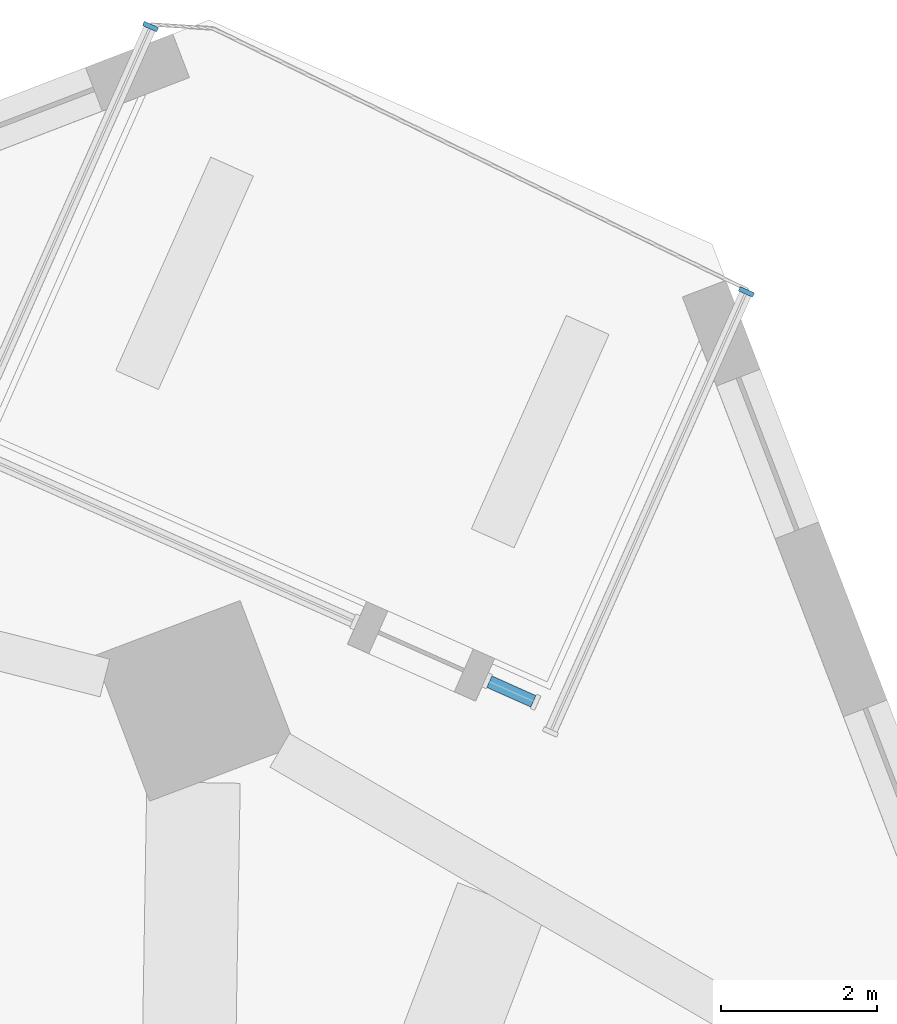
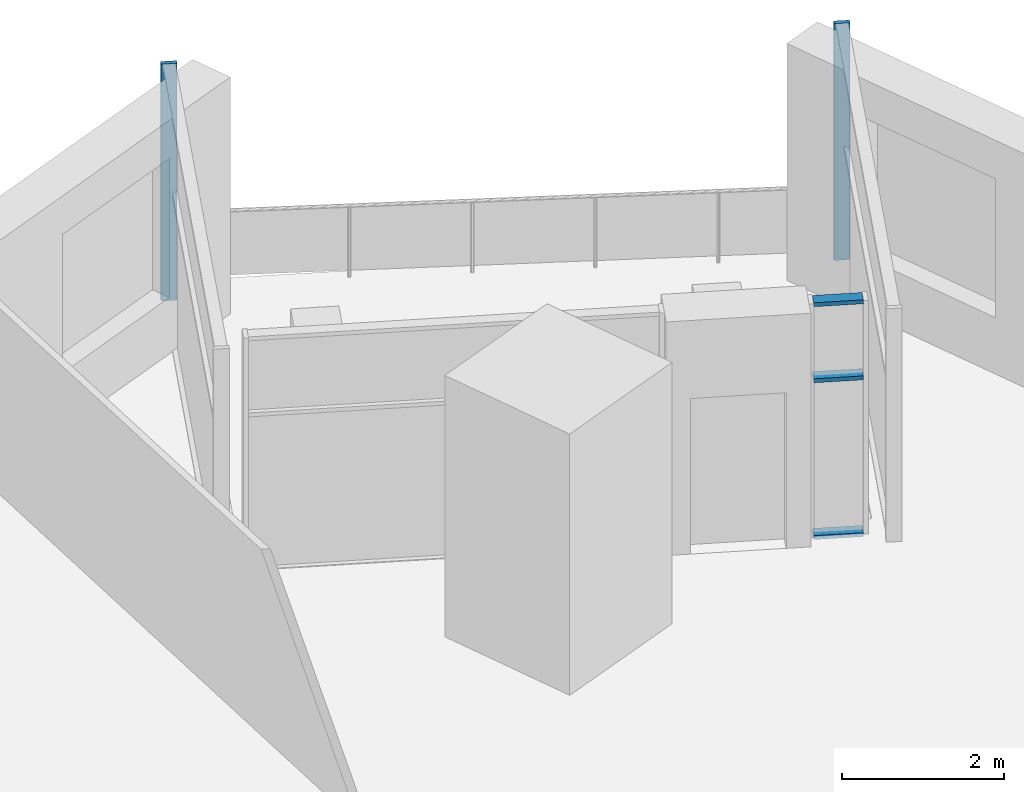
# One storey, part 4 of 14: 5 members, 3 elements without a shape of their own.
"""IFC4 building model written with IfcOpenShell, lengths in metres."""

from ifc_helpers import new_model, si_unit, direction, frame, origin, origin_2d, place, context, subcontext, project, spatial, rectangle, extrude, material, material_profile, profile_set, type_object, element, aggregate, save


model = new_model("IFC4")

# Units and contexts
model_context = context("Model", 3, precision=1e-05, world=origin(), true_north=direction((0.0, 1.0)))
body_context = subcontext(model_context, "Body", "Model", "MODEL_VIEW")
ifc_project = project(units=[si_unit("LENGTHUNIT", "METRE"), si_unit("AREAUNIT", "SQUARE_METRE"), si_unit("VOLUMEUNIT", "CUBIC_METRE"), si_unit("PLANEANGLEUNIT", "RADIAN"), si_unit("MASSUNIT", "GRAM", prefix="KILO")], contexts=[model_context])

# Site, building, storey
site_placement = place(None, origin())
site = spatial("IfcSite", under=ifc_project, at=site_placement, CompositionType="ELEMENT")
building_placement = place(site_placement, origin())
building = spatial("IfcBuilding", under=site, at=building_placement, Name="Dilmun Exchange Tower", CompositionType="ELEMENT")
storey_placement = place(building_placement, frame((0.0, 0.0, 110.10009765625)))
storey = spatial("IfcBuildingStorey", under=building, at=storey_placement, Name="L25", CompositionType="ELEMENT", Elevation=110.10009765625)

# Curtain wall, member
ifc_material_1 = material(Name="Anodised aluminium and clear glass", Category="aluminium")
curtain_wall_type = type_object("IfcCurtainWallType", Name="Garden corner glazing", PredefinedType="NOTDEFINED", material=ifc_material_1)
curtain_wall_1_placement = place(storey_placement, origin())
curtain_wall_1 = element("IfcCurtainWall", 1, at=curtain_wall_1_placement, inside=storey, type_object=curtain_wall_type, Name="Garden corner glazing run GC1.1", PredefinedType="NOTDEFINED")
ifc_material_2 = material(Name="Anodised aluminium", Category="aluminium")
ifc_material_profile_1 = material_profile(ifc_material_2, rectangle(XDim=0.199951171875, YDim=0.06005859375, at=origin_2d()), Name="AL 60x200")
ifc_profile_set_1 = profile_set([ifc_material_profile_1], Name="Anodised aluminium")
member_type_1 = type_object("IfcMemberType", Name="Garden corner glazing mullion 60 x 200", PredefinedType="MULLION", material=ifc_profile_set_1)
member_1_placement = place(storey_placement, frame((20.2060546875, 31.607177734375, 0.0), z_axis=(0.0, 0.0, 1.0), x_axis=(0.913542660018, -0.406742926585, 0.0)))
member_1 = element("IfcMember", 2, at=member_1_placement, type_object=member_type_1, Name="GC1.1 mullion 1", PredefinedType="MULLION", context=body_context, shape_type="SweptSolid", body=[
    extrude(rectangle(XDim=0.199951171875, YDim=0.06005859375, at=origin_2d()), origin(), (0.0, 0.0, 1.0), 3.579833984375),
])
aggregate(curtain_wall_1, [member_1])

curtain_wall_2_placement = place(storey_placement, origin())
curtain_wall_2 = element("IfcCurtainWall", 3, at=curtain_wall_2_placement, inside=storey, type_object=curtain_wall_type, Name="Garden corner glazing run GC3.1", PredefinedType="NOTDEFINED")
member_2_placement = place(storey_placement, frame((12.55224609375, 35.014892578125, 0.0), z_axis=(0.0, 0.0, 1.0), x_axis=(-0.913542660018, 0.406742926585, 0.0)))
member_2 = element("IfcMember", 4, at=member_2_placement, type_object=member_type_1, Name="GC3.1 mullion 2", PredefinedType="MULLION", context=body_context, shape_type="SweptSolid", body=[
    extrude(rectangle(XDim=0.199951171875, YDim=0.06005859375, at=origin_2d()), origin(), (0.0, 0.0, 1.0), 3.579833984375),
])
aggregate(curtain_wall_2, [member_2])

# Curtain wall, members
curtain_wall_3_placement = place(storey_placement, origin())
curtain_wall_3 = element("IfcCurtainWall", 5, at=curtain_wall_3_placement, inside=storey, type_object=curtain_wall_type, Name="Garden corner glazing run GC2.1", PredefinedType="NOTDEFINED")
ifc_material_profile_2 = material_profile(ifc_material_2, rectangle(XDim=0.159912109375, YDim=0.06005859375, at=origin_2d()), Name="AL 60x160")
ifc_profile_set_2 = profile_set([ifc_material_profile_2], Name="Anodised aluminium")
member_type_2 = type_object("IfcMemberType", Name="Garden corner glazing transom 60 x 160", PredefinedType="USERDEFINED", material=ifc_profile_set_2)
member_3_placement = place(storey_placement, frame((17.470703125, 26.3486328125, 0.02978515625), z_axis=(-0.913486097967, 0.406869940916, 0.0), x_axis=(-0.406869940916, -0.913486097967, 0.0)))
member_3 = element("IfcMember", 6, at=member_3_placement, type_object=member_type_2, Name="GC2.1 transom 1.1", ObjectType="TRANSOM", PredefinedType="USERDEFINED", context=body_context, shape_type="SweptSolid", body=[
    extrude(rectangle(XDim=0.159912109375, YDim=0.06005859375, at=origin_2d()), origin(), (0.0, 0.0, 1.0), 0.619140625),
])
member_4_placement = place(storey_placement, frame((17.470703125, 26.3486328125, 2.39990234375), z_axis=(-0.913486097967, 0.406869940916, 0.0), x_axis=(-0.406869940916, -0.913486097967, 0.0)))
member_4 = element("IfcMember", 7, at=member_4_placement, type_object=member_type_2, Name="GC2.1 transom 1.2", ObjectType="TRANSOM", PredefinedType="USERDEFINED", context=body_context, shape_type="SweptSolid", body=[
    extrude(rectangle(XDim=0.159912109375, YDim=0.06005859375, at=origin_2d()), origin(), (0.0, 0.0, 1.0), 0.619140625),
])
member_5_placement = place(storey_placement, frame((17.470703125, 26.3486328125, 3.5498046875), z_axis=(-0.913486097967, 0.406869940916, 0.0), x_axis=(-0.406869940916, -0.913486097967, 0.0)))
member_5 = element("IfcMember", 8, at=member_5_placement, type_object=member_type_2, Name="GC2.1 transom 1.3", ObjectType="TRANSOM", PredefinedType="USERDEFINED", context=body_context, shape_type="SweptSolid", body=[
    extrude(rectangle(XDim=0.159912109375, YDim=0.06005859375, at=origin_2d()), origin(), (0.0, 0.0, 1.0), 0.619140625),
])
aggregate(curtain_wall_3, [member_3, member_4, member_5])

save(model, "model.ifc")
